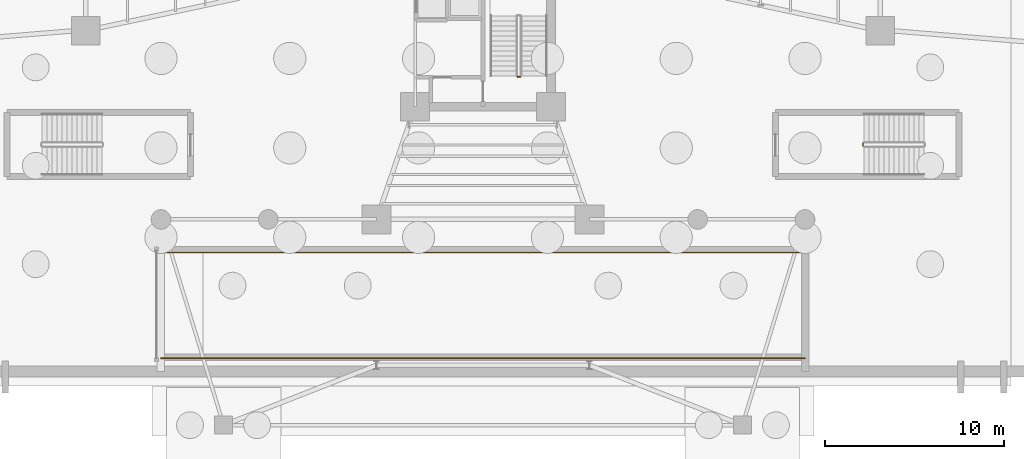
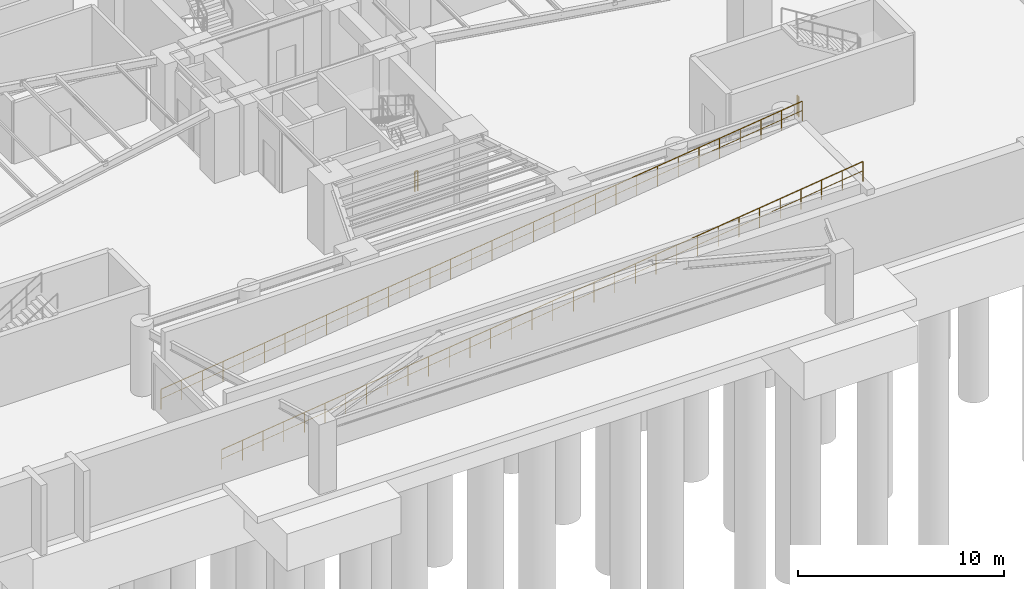
# One storey, part 12 of 15: 4 railings.
"""IFC4 building model written with IfcOpenShell, lengths in metres."""

from ifc_helpers import new_model, si_unit, direction, frame, origin, origin_2d, place, context, subcontext, project, spatial, circle, extrude, material, type_object, element, save


model = new_model("IFC4")

# Units and contexts
model_context = context("Model", 3, precision=1e-05, world=origin(), true_north=direction((0.0, 1.0)))
body_context = subcontext(model_context, "Body", "Model", "MODEL_VIEW")
ifc_project = project(units=[si_unit("LENGTHUNIT", "METRE"), si_unit("AREAUNIT", "SQUARE_METRE"), si_unit("VOLUMEUNIT", "CUBIC_METRE"), si_unit("PLANEANGLEUNIT", "RADIAN"), si_unit("MASSUNIT", "GRAM", prefix="KILO")], contexts=[model_context])

# Site, building, storey
site_placement = place(None, origin())
site = spatial("IfcSite", under=ifc_project, at=site_placement, CompositionType="ELEMENT")
building_placement = place(site_placement, origin())
building = spatial("IfcBuilding", under=site, at=building_placement, Name="Sahyath Konkavel Grand Hotel", CompositionType="ELEMENT")
storey_placement = place(building_placement, frame((0.0, 0.0, -9.0)))
storey = spatial("IfcBuildingStorey", under=building, at=storey_placement, Name="B2", CompositionType="ELEMENT", Elevation=-9.0)

# Railings
ifc_material = material(Name="Steel E350", Category="steel")
railing_type = type_object("IfcRailingType", Name="RLG-STAIR-GRD", PredefinedType="GUARDRAIL", material=ifc_material)
railing_1_placement = place(storey_placement, frame((2.080078125, -8.530029296875, 0.0)))
element("IfcRailing", 1, at=railing_1_placement, inside=storey, type_object=railing_type, Name="B2 ST-2 stair guard 4", PredefinedType="GUARDRAIL", context=body_context, shape_type="SweptSolid", body=[
    extrude(circle(Radius=0.02392578125, at=origin_2d()), frame((-0.001953125, 0.0, 1.17578125), z_axis=(-1.0, 0.0, 0.0), x_axis=(0.0, -1.0, 0.0)), (0.0, 0.0, 1.0), 0.15625),
    extrude(circle(Radius=0.01416015625, at=origin_2d()), frame((-0.001953125, 0.0, 0.6240234375), z_axis=(-1.0, 0.0, 0.0), x_axis=(0.0, -1.0, 0.0)), (0.0, 0.0, 1.0), 0.15625),
    extrude(circle(Radius=0.02099609375, at=origin_2d()), origin(), (0.0, 0.0, 1.0), 1.15185546875),
    extrude(circle(Radius=0.02099609375, at=origin_2d()), frame((-0.16015625, 0.0, 0.0)), (0.0, 0.0, 1.0), 1.15185546875),
])
railing_2_placement = place(storey_placement, frame((21.239990234375, -12.389892578125, 0.0)))
element("IfcRailing", 2, at=railing_2_placement, inside=storey, type_object=railing_type, Name="B2 ST-P4 stair guard 4", PredefinedType="GUARDRAIL", context=body_context, shape_type="SweptSolid", body=[
    extrude(circle(Radius=0.02392578125, at=origin_2d()), frame((0.0, 0.001953125, 1.17578125), z_axis=(0.0, 1.0, 0.0), x_axis=(-1.0, 0.0, 0.0)), (0.0, 0.0, 1.0), 0.156005859375),
    extrude(circle(Radius=0.01416015625, at=origin_2d()), frame((0.0, 0.001953125, 0.6240234375), z_axis=(0.0, 1.0, 0.0), x_axis=(-1.0, 0.0, 0.0)), (0.0, 0.0, 1.0), 0.156005859375),
    extrude(circle(Radius=0.02099609375, at=origin_2d()), origin(), (0.0, 0.0, 1.0), 1.15185546875),
    extrude(circle(Radius=0.02099609375, at=origin_2d()), frame((0.0, 0.159912109375, 0.0)), (0.0, 0.0, 1.0), 1.15185546875),
])
railing_3_placement = place(storey_placement, frame((-18.0, -18.35009765625, 0.0)))
element("IfcRailing", 3, at=railing_3_placement, inside=storey, type_object=railing_type, Name="B2 Vehicle Ramp Guard N", PredefinedType="GUARDRAIL", context=body_context, shape_type="SweptSolid", body=[
    extrude(circle(Radius=0.02392578125, at=origin_2d()), frame((0.001953125, 0.0, 1.17626953125), z_axis=(0.992277876714, 0.0, 0.124034734589), x_axis=(0.0, 1.0, 0.0)), (0.0, 0.0, 1.0), 36.276123046875),
    extrude(circle(Radius=0.01416015625, at=origin_2d()), frame((0.001953125, 0.0, 0.624267578125), z_axis=(0.992277876714, 0.0, 0.124034734589), x_axis=(0.0, 1.0, 0.0)), (0.0, 0.0, 1.0), 36.276123046875),
    extrude(circle(Radius=0.02099609375, at=origin_2d()), origin(), (0.0, 0.0, 1.0), 1.15185546875),
    extrude(circle(Radius=0.02099609375, at=origin_2d()), frame((1.161376953125, 0.0, 0.145263671875)), (0.0, 0.0, 1.0), 1.15185546875),
    extrude(circle(Radius=0.02099609375, at=origin_2d()), frame((2.322509765625, 0.0, 0.290283203125)), (0.0, 0.0, 1.0), 1.15185546875),
    extrude(circle(Radius=0.02099609375, at=origin_2d()), frame((3.48388671875, 0.0, 0.435546875)), (0.0, 0.0, 1.0), 1.15185546875),
    extrude(circle(Radius=0.02099609375, at=origin_2d()), frame((4.645263671875, 0.0, 0.58056640625)), (0.0, 0.0, 1.0), 1.15185546875),
    extrude(circle(Radius=0.02099609375, at=origin_2d()), frame((5.806396484375, 0.0, 0.725830078125)), (0.0, 0.0, 1.0), 1.15185546875),
    extrude(circle(Radius=0.02099609375, at=origin_2d()), frame((6.9677734375, 0.0, 0.870849609375)), (0.0, 0.0, 1.0), 1.15185546875),
    extrude(circle(Radius=0.02099609375, at=origin_2d()), frame((8.129150390625, 0.0, 1.01611328125)), (0.0, 0.0, 1.0), 1.15185546875),
    extrude(circle(Radius=0.02099609375, at=origin_2d()), frame((9.290283203125, 0.0, 1.161376953125)), (0.0, 0.0, 1.0), 1.15185546875),
    extrude(circle(Radius=0.02099609375, at=origin_2d()), frame((10.45166015625, 0.0, 1.306396484375)), (0.0, 0.0, 1.0), 1.15185546875),
    extrude(circle(Radius=0.02099609375, at=origin_2d()), frame((11.61279296875, 0.0, 1.45166015625)), (0.0, 0.0, 1.0), 1.15185546875),
    extrude(circle(Radius=0.02099609375, at=origin_2d()), frame((12.774169921875, 0.0, 1.5966796875)), (0.0, 0.0, 1.0), 1.15185546875),
    extrude(circle(Radius=0.02099609375, at=origin_2d()), frame((13.935546875, 0.0, 1.741943359375)), (0.0, 0.0, 1.0), 1.15185546875),
    extrude(circle(Radius=0.02099609375, at=origin_2d()), frame((15.0966796875, 0.0, 1.88720703125)), (0.0, 0.0, 1.0), 1.15185546875),
    extrude(circle(Radius=0.02099609375, at=origin_2d()), frame((16.258056640625, 0.0, 2.0322265625)), (0.0, 0.0, 1.0), 1.15185546875),
    extrude(circle(Radius=0.02099609375, at=origin_2d()), frame((17.41943359375, 0.0, 2.177490234375)), (0.0, 0.0, 1.0), 1.15185546875),
    extrude(circle(Radius=0.02099609375, at=origin_2d()), frame((18.58056640625, 0.0, 2.322509765625)), (0.0, 0.0, 1.0), 1.15185546875),
    extrude(circle(Radius=0.02099609375, at=origin_2d()), frame((19.741943359375, 0.0, 2.4677734375)), (0.0, 0.0, 1.0), 1.15185546875),
    extrude(circle(Radius=0.02099609375, at=origin_2d()), frame((20.9033203125, 0.0, 2.61279296875)), (0.0, 0.0, 1.0), 1.15185546875),
    extrude(circle(Radius=0.02099609375, at=origin_2d()), frame((22.064453125, 0.0, 2.758056640625)), (0.0, 0.0, 1.0), 1.15185546875),
    extrude(circle(Radius=0.02099609375, at=origin_2d()), frame((23.225830078125, 0.0, 2.9033203125)), (0.0, 0.0, 1.0), 1.15185546875),
    extrude(circle(Radius=0.02099609375, at=origin_2d()), frame((24.38720703125, 0.0, 3.04833984375)), (0.0, 0.0, 1.0), 1.15185546875),
    extrude(circle(Radius=0.02099609375, at=origin_2d()), frame((25.54833984375, 0.0, 3.193603515625)), (0.0, 0.0, 1.0), 1.15185546875),
    extrude(circle(Radius=0.02099609375, at=origin_2d()), frame((26.709716796875, 0.0, 3.338623046875)), (0.0, 0.0, 1.0), 1.15185546875),
    extrude(circle(Radius=0.02099609375, at=origin_2d()), frame((27.870849609375, 0.0, 3.48388671875)), (0.0, 0.0, 1.0), 1.15185546875),
    extrude(circle(Radius=0.02099609375, at=origin_2d()), frame((29.0322265625, 0.0, 3.629150390625)), (0.0, 0.0, 1.0), 1.15185546875),
    extrude(circle(Radius=0.02099609375, at=origin_2d()), frame((30.193603515625, 0.0, 3.774169921875)), (0.0, 0.0, 1.0), 1.15185546875),
    extrude(circle(Radius=0.02099609375, at=origin_2d()), frame((31.354736328125, 0.0, 3.91943359375)), (0.0, 0.0, 1.0), 1.15185546875),
    extrude(circle(Radius=0.02099609375, at=origin_2d()), frame((32.51611328125, 0.0, 4.064453125)), (0.0, 0.0, 1.0), 1.15185546875),
    extrude(circle(Radius=0.02099609375, at=origin_2d()), frame((33.677490234375, 0.0, 4.209716796875)), (0.0, 0.0, 1.0), 1.15185546875),
    extrude(circle(Radius=0.02099609375, at=origin_2d()), frame((34.838623046875, 0.0, 4.354736328125)), (0.0, 0.0, 1.0), 1.15185546875),
    extrude(circle(Radius=0.02099609375, at=origin_2d()), frame((36.0, 0.0, 4.5)), (0.0, 0.0, 1.0), 1.15185546875),
])
railing_4_placement = place(storey_placement, frame((-18.0, -24.25, 0.0)))
element("IfcRailing", 4, at=railing_4_placement, inside=storey, type_object=railing_type, Name="B2 Vehicle Ramp Guard S", PredefinedType="GUARDRAIL", context=body_context, shape_type="SweptSolid", body=[
    extrude(circle(Radius=0.02392578125, at=origin_2d()), frame((0.001953125, 0.0, 1.17626953125), z_axis=(0.992277876714, 0.0, 0.124034734589), x_axis=(0.0, 1.0, 0.0)), (0.0, 0.0, 1.0), 36.276123046875),
    extrude(circle(Radius=0.01416015625, at=origin_2d()), frame((0.001953125, 0.0, 0.624267578125), z_axis=(0.992277876714, 0.0, 0.124034734589), x_axis=(0.0, 1.0, 0.0)), (0.0, 0.0, 1.0), 36.276123046875),
    extrude(circle(Radius=0.02099609375, at=origin_2d()), origin(), (0.0, 0.0, 1.0), 1.15185546875),
    extrude(circle(Radius=0.02099609375, at=origin_2d()), frame((1.161376953125, 0.0, 0.145263671875)), (0.0, 0.0, 1.0), 1.15185546875),
    extrude(circle(Radius=0.02099609375, at=origin_2d()), frame((2.322509765625, 0.0, 0.290283203125)), (0.0, 0.0, 1.0), 1.15185546875),
    extrude(circle(Radius=0.02099609375, at=origin_2d()), frame((3.48388671875, 0.0, 0.435546875)), (0.0, 0.0, 1.0), 1.15185546875),
    extrude(circle(Radius=0.02099609375, at=origin_2d()), frame((4.645263671875, 0.0, 0.58056640625)), (0.0, 0.0, 1.0), 1.15185546875),
    extrude(circle(Radius=0.02099609375, at=origin_2d()), frame((5.806396484375, 0.0, 0.725830078125)), (0.0, 0.0, 1.0), 1.15185546875),
    extrude(circle(Radius=0.02099609375, at=origin_2d()), frame((6.9677734375, 0.0, 0.870849609375)), (0.0, 0.0, 1.0), 1.15185546875),
    extrude(circle(Radius=0.02099609375, at=origin_2d()), frame((8.129150390625, 0.0, 1.01611328125)), (0.0, 0.0, 1.0), 1.15185546875),
    extrude(circle(Radius=0.02099609375, at=origin_2d()), frame((9.290283203125, 0.0, 1.161376953125)), (0.0, 0.0, 1.0), 1.15185546875),
    extrude(circle(Radius=0.02099609375, at=origin_2d()), frame((10.45166015625, 0.0, 1.306396484375)), (0.0, 0.0, 1.0), 1.15185546875),
    extrude(circle(Radius=0.02099609375, at=origin_2d()), frame((11.61279296875, 0.0, 1.45166015625)), (0.0, 0.0, 1.0), 1.15185546875),
    extrude(circle(Radius=0.02099609375, at=origin_2d()), frame((12.774169921875, 0.0, 1.5966796875)), (0.0, 0.0, 1.0), 1.15185546875),
    extrude(circle(Radius=0.02099609375, at=origin_2d()), frame((13.935546875, 0.0, 1.741943359375)), (0.0, 0.0, 1.0), 1.15185546875),
    extrude(circle(Radius=0.02099609375, at=origin_2d()), frame((15.0966796875, 0.0, 1.88720703125)), (0.0, 0.0, 1.0), 1.15185546875),
    extrude(circle(Radius=0.02099609375, at=origin_2d()), frame((16.258056640625, 0.0, 2.0322265625)), (0.0, 0.0, 1.0), 1.15185546875),
    extrude(circle(Radius=0.02099609375, at=origin_2d()), frame((17.41943359375, 0.0, 2.177490234375)), (0.0, 0.0, 1.0), 1.15185546875),
    extrude(circle(Radius=0.02099609375, at=origin_2d()), frame((18.58056640625, 0.0, 2.322509765625)), (0.0, 0.0, 1.0), 1.15185546875),
    extrude(circle(Radius=0.02099609375, at=origin_2d()), frame((19.741943359375, 0.0, 2.4677734375)), (0.0, 0.0, 1.0), 1.15185546875),
    extrude(circle(Radius=0.02099609375, at=origin_2d()), frame((20.9033203125, 0.0, 2.61279296875)), (0.0, 0.0, 1.0), 1.15185546875),
    extrude(circle(Radius=0.02099609375, at=origin_2d()), frame((22.064453125, 0.0, 2.758056640625)), (0.0, 0.0, 1.0), 1.15185546875),
    extrude(circle(Radius=0.02099609375, at=origin_2d()), frame((23.225830078125, 0.0, 2.9033203125)), (0.0, 0.0, 1.0), 1.15185546875),
    extrude(circle(Radius=0.02099609375, at=origin_2d()), frame((24.38720703125, 0.0, 3.04833984375)), (0.0, 0.0, 1.0), 1.15185546875),
    extrude(circle(Radius=0.02099609375, at=origin_2d()), frame((25.54833984375, 0.0, 3.193603515625)), (0.0, 0.0, 1.0), 1.15185546875),
    extrude(circle(Radius=0.02099609375, at=origin_2d()), frame((26.709716796875, 0.0, 3.338623046875)), (0.0, 0.0, 1.0), 1.15185546875),
    extrude(circle(Radius=0.02099609375, at=origin_2d()), frame((27.870849609375, 0.0, 3.48388671875)), (0.0, 0.0, 1.0), 1.15185546875),
    extrude(circle(Radius=0.02099609375, at=origin_2d()), frame((29.0322265625, 0.0, 3.629150390625)), (0.0, 0.0, 1.0), 1.15185546875),
    extrude(circle(Radius=0.02099609375, at=origin_2d()), frame((30.193603515625, 0.0, 3.774169921875)), (0.0, 0.0, 1.0), 1.15185546875),
    extrude(circle(Radius=0.02099609375, at=origin_2d()), frame((31.354736328125, 0.0, 3.91943359375)), (0.0, 0.0, 1.0), 1.15185546875),
    extrude(circle(Radius=0.02099609375, at=origin_2d()), frame((32.51611328125, 0.0, 4.064453125)), (0.0, 0.0, 1.0), 1.15185546875),
    extrude(circle(Radius=0.02099609375, at=origin_2d()), frame((33.677490234375, 0.0, 4.209716796875)), (0.0, 0.0, 1.0), 1.15185546875),
    extrude(circle(Radius=0.02099609375, at=origin_2d()), frame((34.838623046875, 0.0, 4.354736328125)), (0.0, 0.0, 1.0), 1.15185546875),
    extrude(circle(Radius=0.02099609375, at=origin_2d()), frame((36.0, 0.0, 4.5)), (0.0, 0.0, 1.0), 1.15185546875),
])

save(model, "model.ifc")
